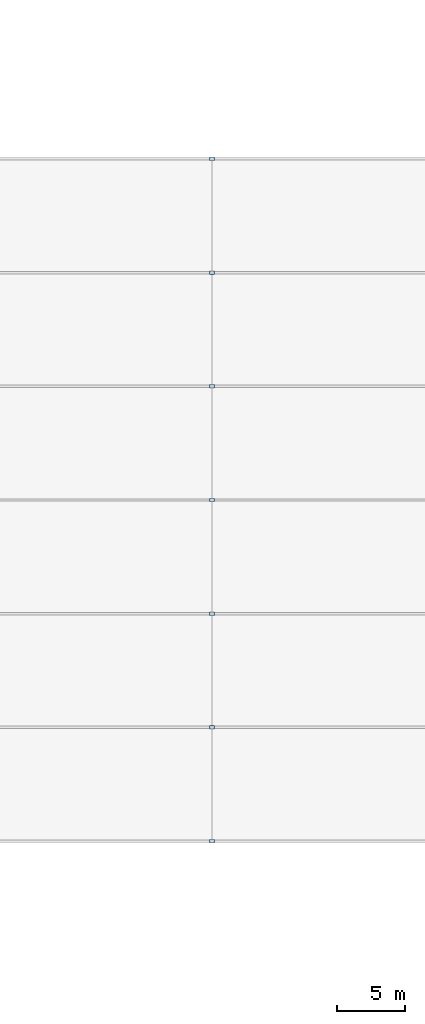
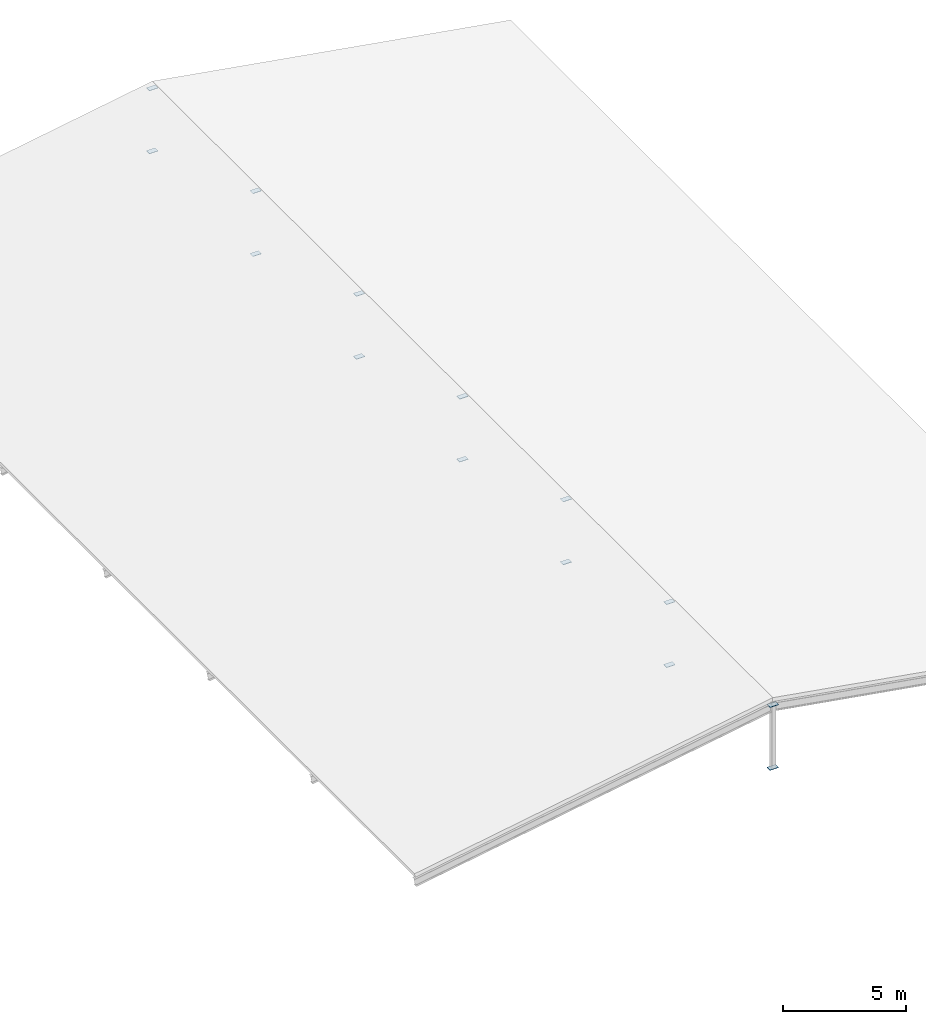
# One storey, part 17 of 31: 14 plates.
"""IFC4 building model written with IfcOpenShell, lengths in metres."""

from ifc_helpers import new_model, si_unit, direction, frame, origin, origin_2d, place, context, subcontext, project, spatial, rectangle, extrude, material, layer, layer_set, type_object, element, save


model = new_model("IFC4")

# Units and contexts
model_context = context("Model", 3, precision=1e-05, world=origin(), true_north=direction((0.0, 1.0)))
body_context = subcontext(model_context, "Body", "Model", "MODEL_VIEW")
ifc_project = project(units=[si_unit("LENGTHUNIT", "METRE"), si_unit("AREAUNIT", "SQUARE_METRE"), si_unit("VOLUMEUNIT", "CUBIC_METRE"), si_unit("PLANEANGLEUNIT", "RADIAN"), si_unit("MASSUNIT", "GRAM", prefix="KILO")], contexts=[model_context])

# Site, building, storey
site_placement = place(None, origin())
site = spatial("IfcSite", under=ifc_project, at=site_placement, CompositionType="ELEMENT")
building_placement = place(site_placement, origin())
building = spatial("IfcBuilding", under=site, at=building_placement, Name="Varnapada Polytechnic", CompositionType="ELEMENT")
storey_placement = place(building_placement, frame((0.0, 0.0, 22.199951171875)))
storey = spatial("IfcBuildingStorey", under=building, at=storey_placement, Name="L05", CompositionType="ELEMENT", Elevation=22.199951171875)

# Plates
ifc_material = material(Name="Steel S355", Category="steel")
ifc_layer = layer(ifc_material, 0.01806640625)
ifc_layer_set = layer_set([ifc_layer], Name="Steel S355")
plate_type = type_object("IfcPlateType", Name="Plate BP-06", PredefinedType="SHEET", material=ifc_layer_set)
for number, where, z_axis, x_axis, name in (
    (1, (159.60009765625, 67.199951171875, -0.009033203125), (0.0, 0.0, 1.0), (1.0, 0.0, 0.0), "Post splice gusset plate V5-RPPL-08 B"),
    (2, (159.60009765625, 67.199951171875, 3.111083984375), (0.0, 0.0, 1.0), (1.0, 0.0, 0.0), "Post splice gusset plate V5-RPPL-08 T"),
    (3, (159.60009765625, 75.60009765625, -0.009033203125), (0.0, 0.0, 1.0), (1.0, 0.0, 0.0), "Post splice gusset plate V5-RPPL-09 B"),
    (4, (159.60009765625, 75.60009765625, 3.111083984375), (0.0, 0.0, 1.0), (1.0, 0.0, 0.0), "Post splice gusset plate V5-RPPL-09 T"),
    (5, (159.60009765625, 84.0, -0.009033203125), (0.0, 0.0, 1.0), (1.0, 0.0, 0.0), "Post splice gusset plate V5-RPPL-10 B"),
    (6, (159.60009765625, 84.0, 3.111083984375), (0.0, 0.0, 1.0), (1.0, 0.0, 0.0), "Post splice gusset plate V5-RPPL-10 T"),
    (7, (159.60009765625, 92.39990234375, -0.009033203125), (0.0, 0.0, 1.0), (1.0, 0.0, 0.0), "Post splice gusset plate V5-RPPL-11 B"),
    (8, (159.60009765625, 92.39990234375, 3.111083984375), (0.0, 0.0, 1.0), (1.0, 0.0, 0.0), "Post splice gusset plate V5-RPPL-11 T"),
    (9, (159.60009765625, 100.800048828125, -0.009033203125), (0.0, 0.0, 1.0), (1.0, 0.0, 0.0), "Post splice gusset plate V5-RPPL-12 B"),
    (10, (159.60009765625, 100.800048828125, 3.111083984375), (0.0, 0.0, 1.0), (1.0, 0.0, 0.0), "Post splice gusset plate V5-RPPL-12 T"),
    (11, (159.60009765625, 109.199951171875, -0.009033203125), (0.0, 0.0, 1.0), (1.0, 0.0, 0.0), "Post splice gusset plate V5-RPPL-13 B"),
    (12, (159.60009765625, 109.199951171875, 3.111083984375), (0.0, 0.0, 1.0), (1.0, 0.0, 0.0), "Post splice gusset plate V5-RPPL-13 T"),
    (13, (159.60009765625, 117.60009765625, -0.009033203125), (0.0, 0.0, 1.0), (1.0, 0.0, 0.0), "Post splice gusset plate V5-RPPL-14 B"),
    (14, (159.60009765625, 117.60009765625, 3.111083984375), (0.0, 0.0, 1.0), (1.0, 0.0, 0.0), "Post splice gusset plate V5-RPPL-14 T"),
):
    element("IfcPlate", number, at=place(storey_placement, frame(where, z_axis=z_axis, x_axis=x_axis)), inside=storey, type_object=plate_type, Name=name, PredefinedType="SHEET", context=body_context, shape_type="SweptSolid", body=[
        extrude(rectangle(XDim=0.39990234375, YDim=0.25, at=origin_2d()), origin(), (0.0, 0.0, 1.0), 0.01806640625),
    ])

save(model, "model.ifc")
